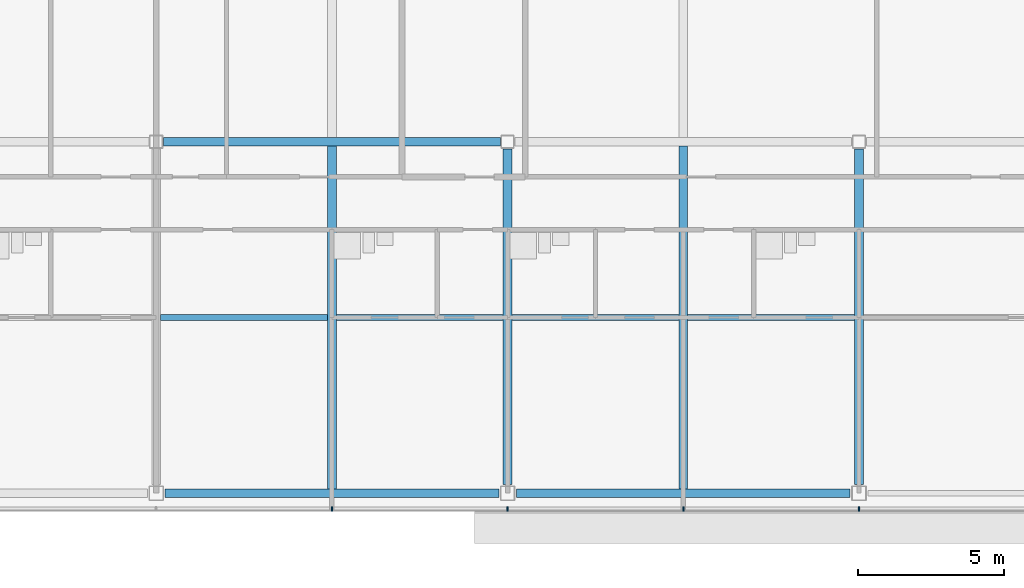
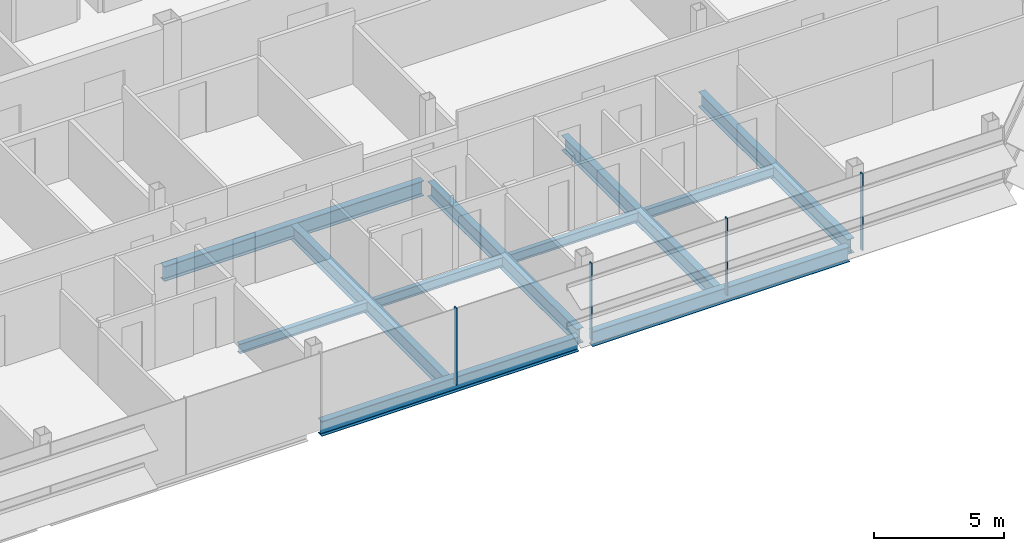
# One storey, part 10 of 28: 11 beams, 4 members, 1 element without a shape of its own.
"""IFC4 building model written with IfcOpenShell, lengths in metres."""

from ifc_helpers import new_model, si_unit, direction, frame, origin, origin_2d, place, context, subcontext, project, spatial, rectangle, i_section, extrude, material, material_profile, profile_set, type_object, element, aggregate, save


model = new_model("IFC4")

# Units and contexts
model_context = context("Model", 3, precision=1e-05, world=origin(), true_north=direction((0.0, 1.0)))
body_context = subcontext(model_context, "Body", "Model", "MODEL_VIEW")
ifc_project = project(units=[si_unit("LENGTHUNIT", "METRE"), si_unit("AREAUNIT", "SQUARE_METRE"), si_unit("VOLUMEUNIT", "CUBIC_METRE"), si_unit("PLANEANGLEUNIT", "RADIAN"), si_unit("MASSUNIT", "GRAM", prefix="KILO")], contexts=[model_context])

# Site, building, storey
site_placement = place(None, origin())
site = spatial("IfcSite", under=ifc_project, at=site_placement, CompositionType="ELEMENT")
building_placement = place(site_placement, origin())
building = spatial("IfcBuilding", under=site, at=building_placement, Name="Sorahane Residences", CompositionType="ELEMENT")
storey_placement = place(building_placement, frame((0.0, 0.0, 301.60009765625)))
storey = spatial("IfcBuildingStorey", under=building, at=storey_placement, Name="L71", CompositionType="ELEMENT", Elevation=301.60009765625)

# Curtain wall, members
ifc_material_1 = material(Name="Dark low-e glass and black anodised aluminium", Category="aluminium")
curtain_wall_type = type_object("IfcCurtainWallType", Name="Curtain wall CW-1 Typical unitised wall", PredefinedType="NOTDEFINED", material=ifc_material_1)
curtain_wall_placement = place(storey_placement, origin())
curtain_wall = element("IfcCurtainWall", 1, at=curtain_wall_placement, inside=storey, type_object=curtain_wall_type, Name="CW-1 curtain wall L71 S1", PredefinedType="NOTDEFINED")
ifc_material_2 = material(Name="Black anodised aluminium", Category="aluminium")
ifc_material_profile_1 = material_profile(ifc_material_2, rectangle(XDim=0.159912109375, YDim=0.050048828125, at=origin_2d()), Name="Curtain wall mullion CW-1 black anodised aluminium 50x160")
ifc_profile_set_1 = profile_set([ifc_material_profile_1], Name="Black anodised aluminium")
member_type = type_object("IfcMemberType", Name="Curtain wall mullion CW-1 black anodised aluminium 50x160", PredefinedType="MULLION", material=ifc_profile_set_1)
member_1_placement = place(storey_placement, frame((18.0, -0.5400390625, -0.18017578125), z_axis=(0.0, 0.0, 1.0), x_axis=(0.0, -1.0, 0.0)))
member_1 = element("IfcMember", 2, at=member_1_placement, type_object=member_type, Name="CW-1 mullion L71 S1.6", PredefinedType="MULLION", context=body_context, shape_type="SweptSolid", body=[
    extrude(rectangle(XDim=0.159912109375, YDim=0.050048828125, at=origin_2d()), origin(), (0.0, 0.0, 1.0), 3.60009765625),
])
member_2_placement = place(storey_placement, frame((24.0, -0.5400390625, -0.18017578125), z_axis=(0.0, 0.0, 1.0), x_axis=(0.0, -1.0, 0.0)))
member_2 = element("IfcMember", 3, at=member_2_placement, type_object=member_type, Name="CW-1 mullion L71 S1.7", PredefinedType="MULLION", context=body_context, shape_type="SweptSolid", body=[
    extrude(rectangle(XDim=0.159912109375, YDim=0.050048828125, at=origin_2d()), origin(), (0.0, 0.0, 1.0), 3.60009765625),
])
member_3_placement = place(storey_placement, frame((30.0, -0.5400390625, -0.18017578125), z_axis=(0.0, 0.0, 1.0), x_axis=(0.0, -1.0, 0.0)))
member_3 = element("IfcMember", 4, at=member_3_placement, type_object=member_type, Name="CW-1 mullion L71 S1.8", PredefinedType="MULLION", context=body_context, shape_type="SweptSolid", body=[
    extrude(rectangle(XDim=0.159912109375, YDim=0.050048828125, at=origin_2d()), origin(), (0.0, 0.0, 1.0), 3.60009765625),
])
member_4_placement = place(storey_placement, frame((36.0, -0.5400390625, -0.18017578125), z_axis=(0.0, 0.0, 1.0), x_axis=(0.0, -1.0, 0.0)))
member_4 = element("IfcMember", 5, at=member_4_placement, type_object=member_type, Name="CW-1 mullion L71 S1.9", PredefinedType="MULLION", context=body_context, shape_type="SweptSolid", body=[
    extrude(rectangle(XDim=0.159912109375, YDim=0.050048828125, at=origin_2d()), origin(), (0.0, 0.0, 1.0), 3.60009765625),
])
aggregate(curtain_wall, [member_1, member_2, member_3, member_4])

# Beams
ifc_material_3 = material(Name="Steel Q355B", Category="steel")
ifc_material_profile_2 = material_profile(ifc_material_3, i_section(OverallWidth=0.199951171875, OverallDepth=0.449951171875, WebThickness=0.009033203125, FlangeThickness=0.013916015625, FilletRadius=0.02001953125, at=origin_2d()), Name="HN 450x200x9x14")
ifc_profile_set_2 = profile_set([ifc_material_profile_2], Name="Steel Q355B")
beam_type_1 = type_object("IfcBeamType", Name="Steel floor beam HN 450x200x9x14 Q355B", PredefinedType="BEAM", material=ifc_profile_set_2)
for number, where, z_axis, x_axis, name in (
    (6, (12.14990234375, 6.0, -0.405029296875), (1.0, 0.0, 0.0), (0.0, 1.0, 0.0), "Beam L71 070"),
    (7, (18.14990234375, 6.0, -0.405029296875), (1.0, 0.0, 0.0), (0.0, 1.0, 0.0), "Beam L71 071"),
    (8, (24.14990234375, 6.0, -0.405029296875), (1.0, 0.0, 0.0), (0.0, 1.0, 0.0), "Beam L71 072"),
    (9, (30.14990234375, 6.0, -0.405029296875), (1.0, 0.0, 0.0), (0.0, 1.0, 0.0), "Beam L71 073"),
):
    element("IfcBeam", number, at=place(storey_placement, frame(where, z_axis=z_axis, x_axis=x_axis)), inside=storey, type_object=beam_type_1, Name=name, PredefinedType="BEAM", context=body_context, shape_type="SweptSolid", body=[
        extrude(i_section(OverallWidth=0.199951171875, OverallDepth=0.449951171875, WebThickness=0.009033203125, FlangeThickness=0.013916015625, FilletRadius=0.02001953125, at=origin_2d()), origin(), (0.0, 0.0, 1.0), 5.7001953125),
    ])
ifc_material_4 = material(Name="Steel Q355B", Category="steel")
ifc_material_profile_3 = material_profile(ifc_material_4, i_section(OverallWidth=0.300048828125, OverallDepth=0.699951171875, WebThickness=0.012939453125, FlangeThickness=0.02392578125, FilletRadius=0.028076171875, at=origin_2d()), Name="HN 700x300x13x24")
ifc_profile_set_3 = profile_set([ifc_material_profile_3], Name="Steel Q355B")
beam_type_2 = type_object("IfcBeamType", Name="Steel floor beam HN 700x300x13x24 Q355B", PredefinedType="BEAM", material=ifc_profile_set_3)
for number, where, z_axis, x_axis, name in (
    (10, (12.300048828125, 0.0, -0.530029296875), (1.0, 0.0, 0.0), (0.0, 1.0, 0.0), "Beam L71 002"),
    (11, (24.300048828125, 0.0, -0.530029296875), (1.0, 0.0, 0.0), (0.0, 1.0, 0.0), "Beam L71 003"),
):
    element("IfcBeam", number, at=place(storey_placement, frame(where, z_axis=z_axis, x_axis=x_axis)), inside=storey, type_object=beam_type_2, Name=name, PredefinedType="BEAM", context=body_context, shape_type="SweptSolid", body=[
        extrude(i_section(OverallWidth=0.300048828125, OverallDepth=0.699951171875, WebThickness=0.012939453125, FlangeThickness=0.02392578125, FilletRadius=0.028076171875, at=origin_2d()), origin(), (0.0, 0.0, 1.0), 11.39990234375),
    ])
beam_1_placement = place(storey_placement, frame((12.25, 12.0, -0.530029296875), z_axis=(1.0, 0.0, 0.0), x_axis=(0.0, 1.0, 0.0)))
element("IfcBeam", 12, at=beam_1_placement, inside=storey, type_object=beam_type_2, Name="Beam L71 008", PredefinedType="BEAM", context=body_context, shape_type="SweptSolid", body=[
    extrude(i_section(OverallWidth=0.300048828125, OverallDepth=0.699951171875, WebThickness=0.012939453125, FlangeThickness=0.02392578125, FilletRadius=0.028076171875, at=origin_2d()), origin(), (0.0, 0.0, 1.0), 11.5),
])
beam_2_placement = place(storey_placement, frame((18.0, 0.14990234375, -0.530029296875), z_axis=(0.0, 1.0, 0.0), x_axis=(-1.0, 0.0, 0.0)))
element("IfcBeam", 13, at=beam_2_placement, inside=storey, type_object=beam_type_2, Name="Beam L71 040", PredefinedType="BEAM", context=body_context, shape_type="SweptSolid", body=[
    extrude(i_section(OverallWidth=0.300048828125, OverallDepth=0.699951171875, WebThickness=0.012939453125, FlangeThickness=0.02392578125, FilletRadius=0.028076171875, at=origin_2d()), origin(), (0.0, 0.0, 1.0), 11.7001953125),
])
beam_3_placement = place(storey_placement, frame((24.0, 0.300048828125, -0.530029296875), z_axis=(0.0, 1.0, 0.0), x_axis=(-1.0, 0.0, 0.0)))
element("IfcBeam", 14, at=beam_3_placement, inside=storey, type_object=beam_type_2, Name="Beam L71 046", PredefinedType="BEAM", context=body_context, shape_type="SweptSolid", body=[
    extrude(i_section(OverallWidth=0.300048828125, OverallDepth=0.699951171875, WebThickness=0.012939453125, FlangeThickness=0.02392578125, FilletRadius=0.028076171875, at=origin_2d()), origin(), (0.0, 0.0, 1.0), 11.449951171875),
])
beam_4_placement = place(storey_placement, frame((30.0, 0.14990234375, -0.530029296875), z_axis=(0.0, 1.0, 0.0), x_axis=(-1.0, 0.0, 0.0)))
element("IfcBeam", 15, at=beam_4_placement, inside=storey, type_object=beam_type_2, Name="Beam L71 048", PredefinedType="BEAM", context=body_context, shape_type="SweptSolid", body=[
    extrude(i_section(OverallWidth=0.300048828125, OverallDepth=0.699951171875, WebThickness=0.012939453125, FlangeThickness=0.02392578125, FilletRadius=0.028076171875, at=origin_2d()), origin(), (0.0, 0.0, 1.0), 11.7001953125),
])
beam_5_placement = place(storey_placement, frame((36.0, 0.300048828125, -0.530029296875), z_axis=(0.0, 1.0, 0.0), x_axis=(-1.0, 0.0, 0.0)))
element("IfcBeam", 16, at=beam_5_placement, inside=storey, type_object=beam_type_2, Name="Beam L71 054", PredefinedType="BEAM", context=body_context, shape_type="SweptSolid", body=[
    extrude(i_section(OverallWidth=0.300048828125, OverallDepth=0.699951171875, WebThickness=0.012939453125, FlangeThickness=0.02392578125, FilletRadius=0.028076171875, at=origin_2d()), origin(), (0.0, 0.0, 1.0), 11.449951171875),
])

save(model, "model.ifc")
